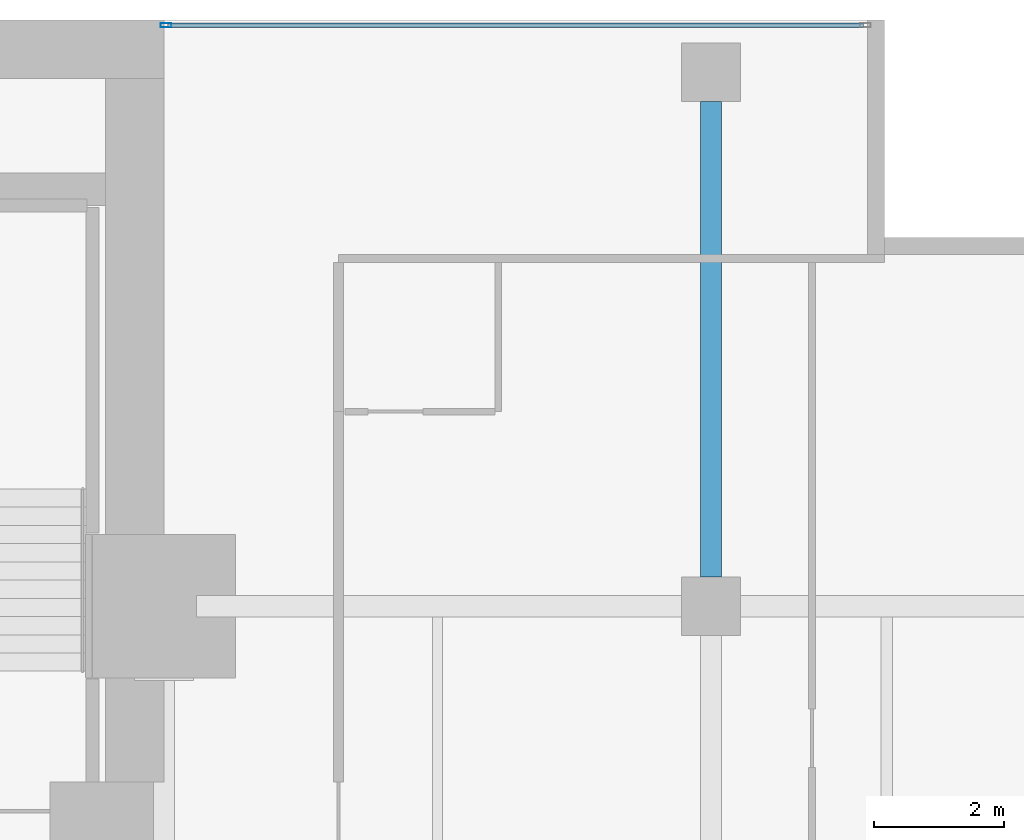
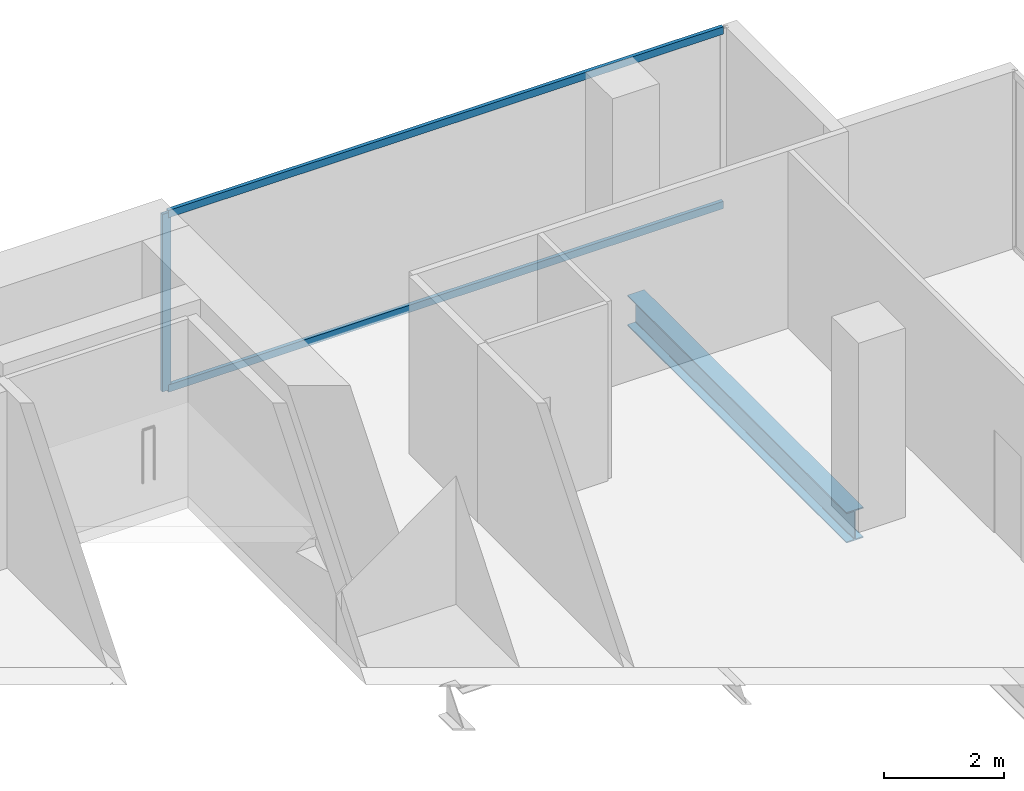
# One storey, part 30 of 39: 3 members, 1 beam, 1 element without a shape of its own.
"""IFC4 building model written with IfcOpenShell, lengths in metres."""

from ifc_helpers import new_model, si_unit, direction, frame, origin, origin_2d, place, context, subcontext, project, spatial, hollow_rectangle, i_section, extrude, material, layer, layer_set, material_profile, profile_set, type_object, element, aggregate, save


model = new_model("IFC4")

# Units and contexts
model_context = context("Model", 3, precision=1e-05, world=origin(), true_north=direction((0.0, 1.0)))
body_context = subcontext(model_context, "Body", "Model", "MODEL_VIEW")
ifc_project = project(units=[si_unit("LENGTHUNIT", "METRE"), si_unit("AREAUNIT", "SQUARE_METRE"), si_unit("VOLUMEUNIT", "CUBIC_METRE"), si_unit("PLANEANGLEUNIT", "RADIAN"), si_unit("MASSUNIT", "GRAM", prefix="KILO")], contexts=[model_context])

# Site, building, storey
site_placement = place(None, origin())
site = spatial("IfcSite", under=ifc_project, at=site_placement, CompositionType="ELEMENT")
building_placement = place(site_placement, origin())
building = spatial("IfcBuilding", under=site, at=building_placement, Name="Maruvema Waterfront Hotel and Observation Tower", CompositionType="ELEMENT")
storey_placement = place(building_placement, frame((0.0, 0.0, 69.300048828125)))
storey = spatial("IfcBuildingStorey", under=building, at=storey_placement, Name="L16", CompositionType="ELEMENT", Elevation=69.300048828125)

# Curtain wall, members
ifc_material_1 = material(Name="Anodised bronze aluminium and solar-control low-E IGU", Category="aluminium")
ifc_layer = layer(ifc_material_1, 0.159912109375, Name="Zone 1 Bronze Inner Thermal Curtain Wall System CW-02")
ifc_layer_set = layer_set([ifc_layer], Name="Anodised bronze aluminium and solar-control low-E IGU")
curtain_wall_type = type_object("IfcCurtainWallType", Name="Zone 1 Bronze Inner Thermal Curtain Wall System CW-02", PredefinedType="USERDEFINED", material=ifc_layer_set)
curtain_wall_placement = place(storey_placement, origin())
curtain_wall = element("IfcCurtainWall", 1, at=curtain_wall_placement, inside=storey, type_object=curtain_wall_type, Name="L16 Curtain Wall CW-L16-NE", ObjectType="UNITISED CURTAIN WALL", PredefinedType="USERDEFINED")
ifc_material_2 = material(Name="Anodised architectural bronze aluminium", Category="aluminium")
ifc_material_profile_1 = material_profile(ifc_material_2, hollow_rectangle(XDim=0.070068359375, YDim=0.14990234375, WallThickness=0.00390625, at=origin_2d()), Name="ALU-T70x150")
ifc_profile_set_1 = profile_set([ifc_material_profile_1], Name="Anodised architectural bronze aluminium")
member_type_1 = type_object("IfcMemberType", Name="Curtain Wall Horizontal Transom ALU-T70x150", PredefinedType="USERDEFINED", material=ifc_profile_set_1)
member_1_placement = place(storey_placement, frame((61.139892578125, 53.919921875, 0.030029296875), z_axis=(-1.0, 0.0, 0.0), x_axis=(0.0, -1.0, 0.0)))
member_1 = element("IfcMember", 2, at=member_1_placement, type_object=member_type_1, Name="CW-02 transom 1.1", ObjectType="TRANSOM", PredefinedType="USERDEFINED", context=body_context, shape_type="SweptSolid", body=[
    extrude(hollow_rectangle(XDim=0.070068359375, YDim=0.14990234375, WallThickness=0.00390625, at=origin_2d()), origin(), (0.0, 0.0, 1.0), 10.679931640625),
])
member_2_placement = place(storey_placement, frame((61.139892578125, 53.919921875, 3.579833984375), z_axis=(-1.0, 0.0, 0.0), x_axis=(0.0, -1.0, 0.0)))
member_2 = element("IfcMember", 3, at=member_2_placement, type_object=member_type_1, Name="CW-02 transom 1.2", ObjectType="TRANSOM", PredefinedType="USERDEFINED", context=body_context, shape_type="SweptSolid", body=[
    extrude(hollow_rectangle(XDim=0.070068359375, YDim=0.14990234375, WallThickness=0.00390625, at=origin_2d()), origin(), (0.0, 0.0, 1.0), 10.679931640625),
])
ifc_material_3 = material(Name="Anodised architectural bronze aluminium", Category="aluminium")
ifc_material_profile_2 = material_profile(ifc_material_3, hollow_rectangle(XDim=0.06494140625, YDim=0.1650390625, WallThickness=0.00390625, at=origin_2d()), Name="ALU-M65x165")
ifc_profile_set_2 = profile_set([ifc_material_profile_2], Name="Anodised architectural bronze aluminium")
member_type_2 = type_object("IfcMemberType", Name="Curtain Wall Primary Mullion ALU-M65x165", PredefinedType="MULLION", material=ifc_profile_set_2)
member_3_placement = place(storey_placement, frame((50.429931640625, 53.919921875, 0.0), z_axis=(0.0, 0.0, 1.0), x_axis=(0.0, -1.0, 0.0)))
member_3 = element("IfcMember", 4, at=member_3_placement, type_object=member_type_2, Name="CW-02 mullion 2", PredefinedType="MULLION", context=body_context, shape_type="SweptSolid", body=[
    extrude(hollow_rectangle(XDim=0.06494140625, YDim=0.1650390625, WallThickness=0.00390625, at=origin_2d()), origin(), (0.0, 0.0, 1.0), 3.60986328125),
])
aggregate(curtain_wall, [member_3, member_1, member_2])

# Beam
ifc_material_4 = material(Name="Steel ASTM A572 Grade 50", Category="steel")
ifc_material_profile_3 = material_profile(ifc_material_4, i_section(OverallWidth=0.326904296875, OverallDepth=0.6220703125, WebThickness=0.015380859375, FlangeThickness=0.0244140625, FilletRadius=0.01806640625, at=origin_2d()), Name="W610x195.0")
ifc_profile_set_3 = profile_set([ifc_material_profile_3], Name="Steel ASTM A572 Grade 50")
beam_type = type_object("IfcBeamType", Name="Primary Floor Girder W610x195.0", PredefinedType="BEAM", material=ifc_profile_set_3)
beam_placement = place(storey_placement, frame((58.800048828125, 45.449951171875, -0.551025390625), z_axis=(0.0, 1.0, 0.0), x_axis=(-1.0, 0.0, 0.0)))
element("IfcBeam", 5, at=beam_placement, inside=storey, type_object=beam_type, Name="L16 Floor Girder NS-32", PredefinedType="BEAM", context=body_context, shape_type="SweptSolid", body=[
    extrude(i_section(OverallWidth=0.326904296875, OverallDepth=0.6220703125, WebThickness=0.015380859375, FlangeThickness=0.0244140625, FilletRadius=0.01806640625, at=origin_2d()), origin(), (0.0, 0.0, 1.0), 7.300048828125),
])

save(model, "model.ifc")
